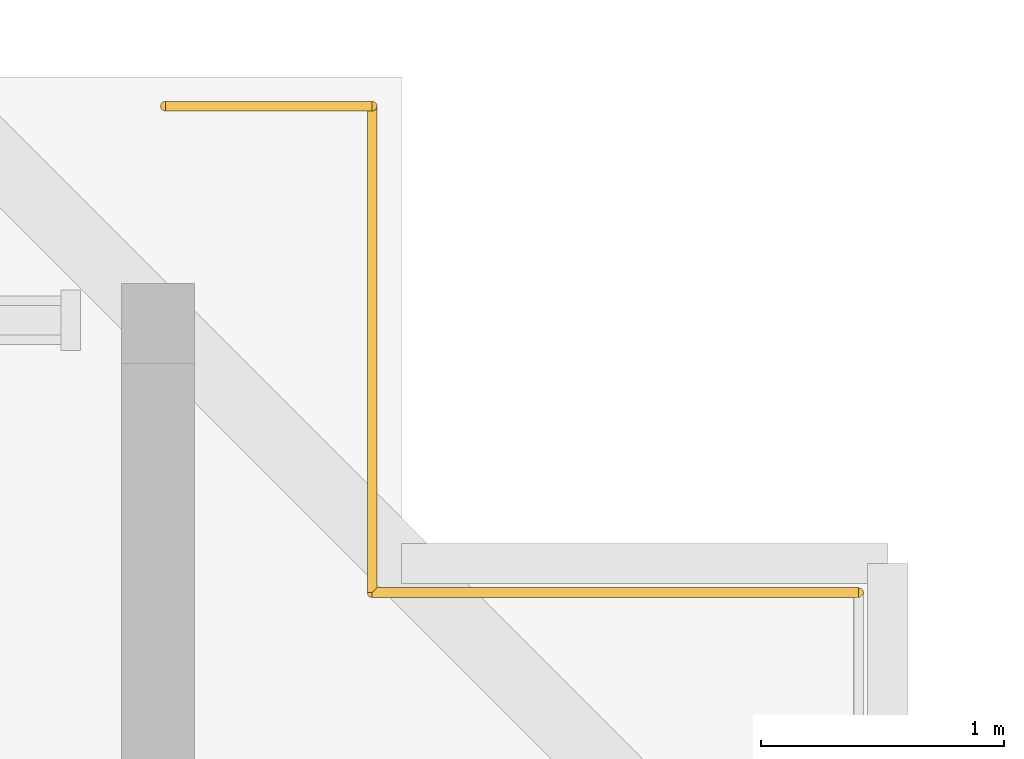
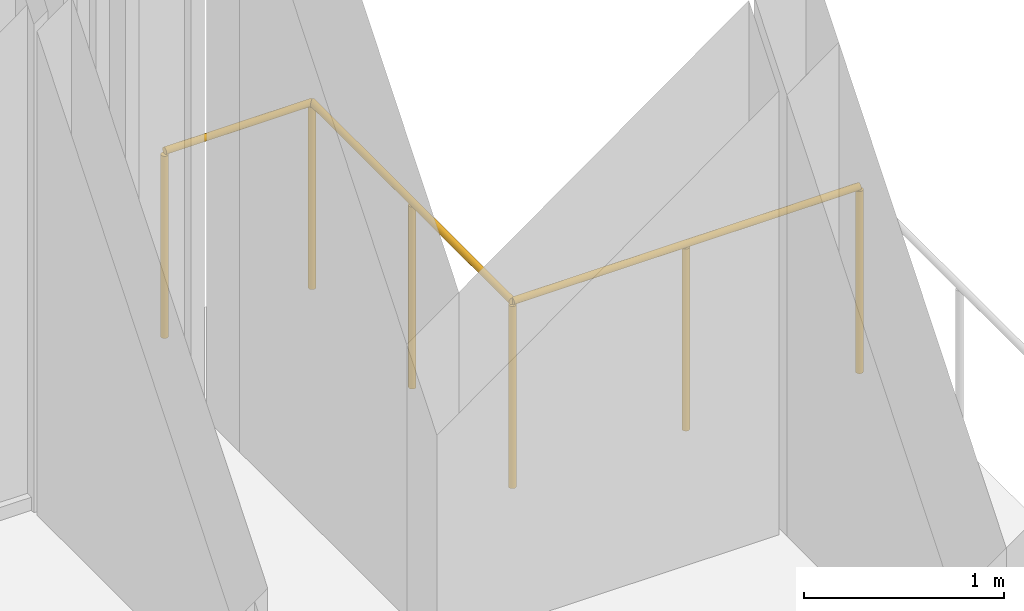
# One storey, part 16 of 16: 3 railings.
"""IFC4 building model written with IfcOpenShell, lengths in metres."""

from ifc_helpers import new_model, si_unit, direction, frame, origin, origin_2d, place, context, subcontext, project, spatial, circle, extrude, material, type_object, element, save


model = new_model("IFC4")

# Units and contexts
model_context = context("Model", 3, precision=1e-05, world=origin(), true_north=direction((0.0, 1.0)))
body_context = subcontext(model_context, "Body", "Model", "MODEL_VIEW")
ifc_project = project(units=[si_unit("LENGTHUNIT", "METRE"), si_unit("AREAUNIT", "SQUARE_METRE"), si_unit("VOLUMEUNIT", "CUBIC_METRE"), si_unit("PLANEANGLEUNIT", "RADIAN"), si_unit("MASSUNIT", "GRAM", prefix="KILO")], contexts=[model_context])

# Site, building, storey
site_placement = place(None, origin())
site = spatial("IfcSite", under=ifc_project, at=site_placement, CompositionType="ELEMENT")
building_placement = place(site_placement, origin())
building = spatial("IfcBuilding", under=site, at=building_placement, Name="Immortelle Media Tower", CompositionType="ELEMENT")
storey_placement = place(building_placement, frame((0.0, 0.0, 241.0)))
storey = spatial("IfcBuildingStorey", under=building, at=storey_placement, Name="L52", CompositionType="ELEMENT", Elevation=241.0)

# Railings
ifc_material = material(Name="Stainless steel AISI 316", Category="steel")
railing_type = type_object("IfcRailingType", Name="Plant ledge guard 1150", PredefinedType="GUARDRAIL", material=ifc_material)
railing_1_placement = place(storey_placement, frame((43.8798828125, 21.8798828125, 0.0)))
element("IfcRailing", 1, at=railing_1_placement, inside=storey, type_object=railing_type, Name="Plant ledge guard L52-22", PredefinedType="GUARDRAIL", context=body_context, shape_type="SweptSolid", body=[
    extrude(circle(Radius=0.02001953125, at=origin_2d()), frame((0.0, 0.0, 1.1298828125), z_axis=(-1.0, 0.0, 0.0), x_axis=(0.0, -1.0, 0.0)), (0.0, 0.0, 1.0), 2.0),
    extrude(circle(Radius=0.02001953125, at=origin_2d()), origin(), (0.0, 0.0, 1.0), 1.10986328125),
    extrude(circle(Radius=0.02001953125, at=origin_2d()), frame((-1.0, 0.0, 0.0)), (0.0, 0.0, 1.0), 1.10986328125),
    extrude(circle(Radius=0.02001953125, at=origin_2d()), frame((-2.0, 0.0, 0.0)), (0.0, 0.0, 1.0), 1.10986328125),
])
railing_2_placement = place(storey_placement, frame((41.8798828125, 21.8798828125, 0.0)))
element("IfcRailing", 2, at=railing_2_placement, inside=storey, type_object=railing_type, Name="Plant ledge guard L52-23", PredefinedType="GUARDRAIL", context=body_context, shape_type="SweptSolid", body=[
    extrude(circle(Radius=0.02001953125, at=origin_2d()), frame((0.0, 0.0, 1.1298828125), z_axis=(0.0, 1.0, 0.0), x_axis=(-1.0, 0.0, 0.0)), (0.0, 0.0, 1.0), 2.0),
    extrude(circle(Radius=0.02001953125, at=origin_2d()), origin(), (0.0, 0.0, 1.0), 1.10986328125),
    extrude(circle(Radius=0.02001953125, at=origin_2d()), frame((0.0, 1.0, 0.0)), (0.0, 0.0, 1.0), 1.10986328125),
    extrude(circle(Radius=0.02001953125, at=origin_2d()), frame((0.0, 2.0, 0.0)), (0.0, 0.0, 1.0), 1.10986328125),
])
railing_3_placement = place(storey_placement, frame((41.8798828125, 23.8798828125, 0.0)))
element("IfcRailing", 3, at=railing_3_placement, inside=storey, type_object=railing_type, Name="Plant ledge guard L52-24", PredefinedType="GUARDRAIL", context=body_context, shape_type="SweptSolid", body=[
    extrude(circle(Radius=0.02001953125, at=origin_2d()), frame((0.0, 0.0, 1.1298828125), z_axis=(-1.0, 0.0, 0.0), x_axis=(0.0, -1.0, 0.0)), (0.0, 0.0, 1.0), 0.849853515625),
    extrude(circle(Radius=0.02001953125, at=origin_2d()), origin(), (0.0, 0.0, 1.0), 1.10986328125),
    extrude(circle(Radius=0.02001953125, at=origin_2d()), frame((-0.849853515625, 0.0, 0.0)), (0.0, 0.0, 1.0), 1.10986328125),
])

save(model, "model.ifc")
